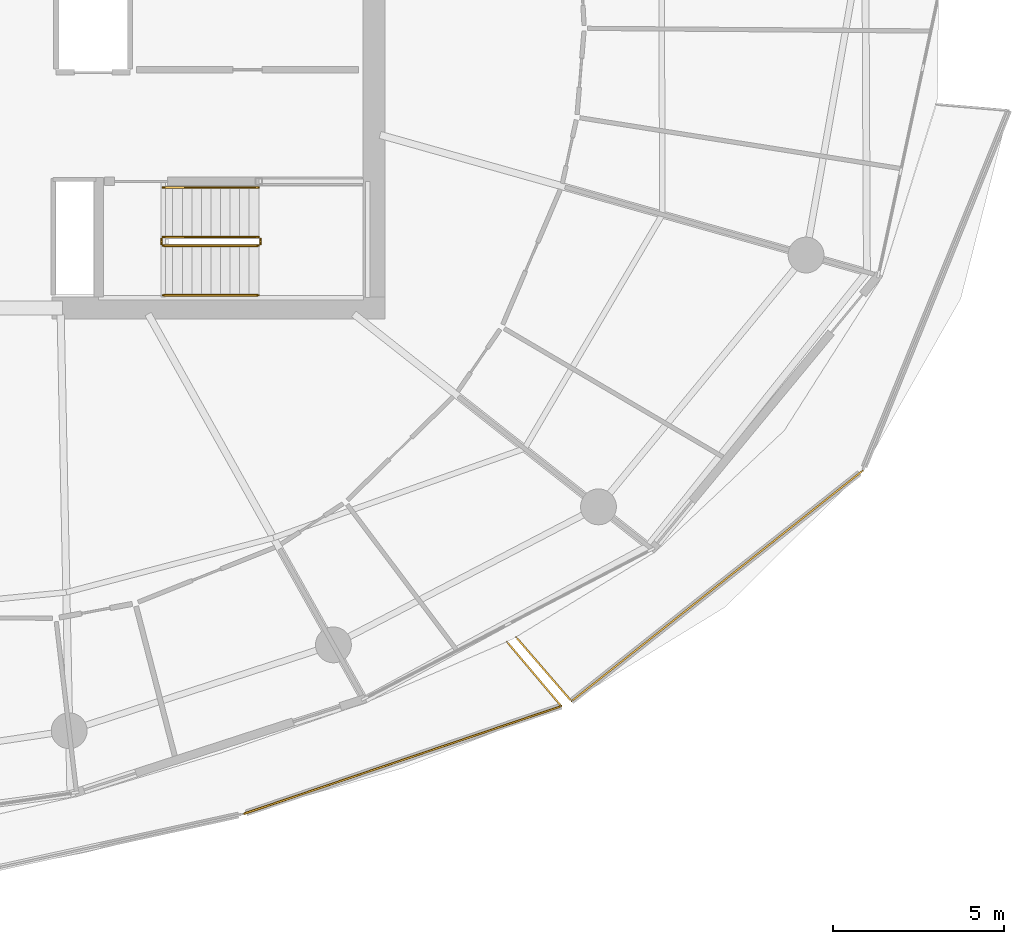
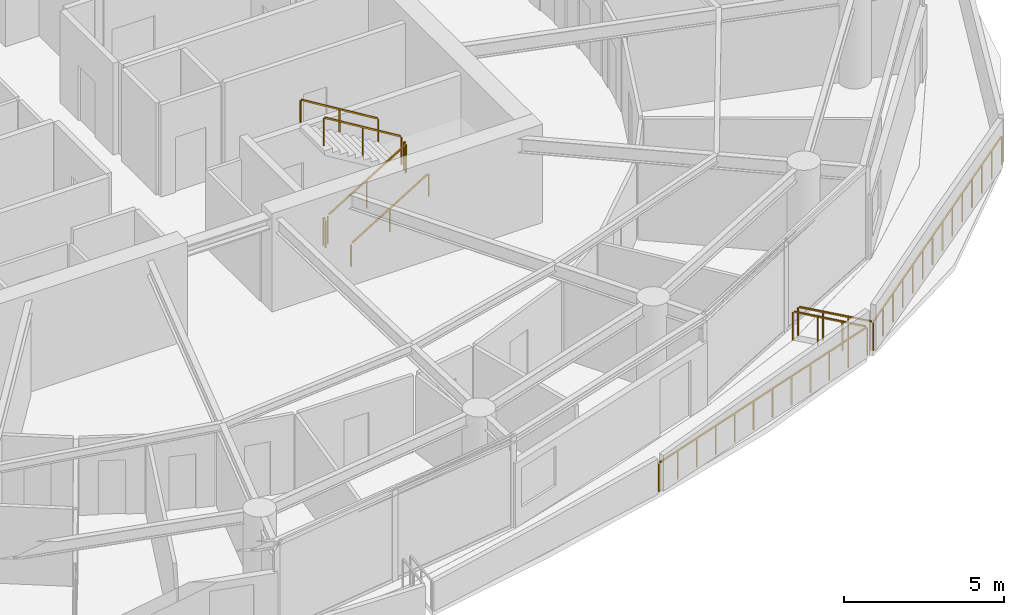
# One storey, part 19 of 21: 10 railings.
"""IFC4 building model written with IfcOpenShell, lengths in metres."""

from ifc_helpers import new_model, si_unit, direction, frame, origin, origin_2d, place, context, subcontext, project, spatial, rectangle, extrude, material, type_object, element, save


model = new_model("IFC4")

# Units and contexts
model_context = context("Model", 3, precision=1e-05, world=origin(), true_north=direction((0.0, 1.0)))
body_context = subcontext(model_context, "Body", "Model", "MODEL_VIEW")
ifc_project = project(units=[si_unit("LENGTHUNIT", "METRE"), si_unit("AREAUNIT", "SQUARE_METRE"), si_unit("VOLUMEUNIT", "CUBIC_METRE"), si_unit("PLANEANGLEUNIT", "RADIAN"), si_unit("MASSUNIT", "GRAM", prefix="KILO")], contexts=[model_context])

# Site, building, storey
site_placement = place(None, origin())
site = spatial("IfcSite", under=ifc_project, at=site_placement, CompositionType="ELEMENT")
building_placement = place(site_placement, origin())
building = spatial("IfcBuilding", under=site, at=building_placement, Name="Kazma Halo Residences", CompositionType="ELEMENT")
storey_placement = place(building_placement, frame((0.0, 0.0, 187.800048828125)))
storey = spatial("IfcBuildingStorey", under=building, at=storey_placement, Name="L47", CompositionType="ELEMENT", Elevation=187.800048828125)

# Railings
ifc_material_1 = material(Name="Aluminium AW-6063 T6 Brushed Cap Rail", Category="aluminium")
railing_type_1 = type_object("IfcRailingType", Name="RLG-BAL-CAP-1120", PredefinedType="BALUSTRADE", material=ifc_material_1)
railing_1_placement = place(storey_placement, frame((55.520263671875, 18.855224609375, 0.0)))
element("IfcRailing", 1, at=railing_1_placement, inside=storey, type_object=railing_type_1, Name="L47 SSE wave balcony guard 3", PredefinedType="BALUSTRADE", context=body_context, shape_type="SweptSolid", body=[
    extrude(rectangle(XDim=0.050048828125, YDim=0.050048828125, at=origin_2d()), frame((0.040283203125, 0.013671875, 1.09521484375), z_axis=(0.947045836606, 0.321098401379, 0.0), x_axis=(-0.321098401379, 0.947045836606, 0.0)), (0.0, 0.0, 1.0), 9.77099609375),
    extrude(rectangle(XDim=0.0400390625, YDim=0.0400390625, at=origin_2d()), origin(), (0.0, 0.0, 1.0), 1.05810546875),
    extrude(rectangle(XDim=0.0400390625, YDim=0.0400390625, at=origin_2d()), frame((0.8486328125, 0.28759765625, 0.0)), (0.0, 0.0, 1.0), 1.05810546875),
    extrude(rectangle(XDim=0.0400390625, YDim=0.0400390625, at=origin_2d()), frame((1.697021484375, 0.575439453125, 0.0)), (0.0, 0.0, 1.0), 1.05810546875),
    extrude(rectangle(XDim=0.0400390625, YDim=0.0400390625, at=origin_2d()), frame((2.545654296875, 0.863037109375, 0.0)), (0.0, 0.0, 1.0), 1.05810546875),
    extrude(rectangle(XDim=0.0400390625, YDim=0.0400390625, at=origin_2d()), frame((3.394287109375, 1.15087890625, 0.0)), (0.0, 0.0, 1.0), 1.05810546875),
    extrude(rectangle(XDim=0.0400390625, YDim=0.0400390625, at=origin_2d()), frame((4.242919921875, 1.4384765625, 0.0)), (0.0, 0.0, 1.0), 1.05810546875),
    extrude(rectangle(XDim=0.0400390625, YDim=0.0400390625, at=origin_2d()), frame((5.09130859375, 1.726318359375, 0.0)), (0.0, 0.0, 1.0), 1.05810546875),
    extrude(rectangle(XDim=0.0400390625, YDim=0.0400390625, at=origin_2d()), frame((5.93994140625, 2.013916015625, 0.0)), (0.0, 0.0, 1.0), 1.05810546875),
    extrude(rectangle(XDim=0.0400390625, YDim=0.0400390625, at=origin_2d()), frame((6.78857421875, 2.3017578125, 0.0)), (0.0, 0.0, 1.0), 1.05810546875),
    extrude(rectangle(XDim=0.0400390625, YDim=0.0400390625, at=origin_2d()), frame((7.63720703125, 2.58935546875, 0.0)), (0.0, 0.0, 1.0), 1.05810546875),
    extrude(rectangle(XDim=0.0400390625, YDim=0.0400390625, at=origin_2d()), frame((8.485595703125, 2.877197265625, 0.0)), (0.0, 0.0, 1.0), 1.05810546875),
    extrude(rectangle(XDim=0.0400390625, YDim=0.0400390625, at=origin_2d()), frame((9.334228515625, 3.164794921875, 0.0)), (0.0, 0.0, 1.0), 1.05810546875),
])
railing_2_placement = place(storey_placement, frame((64.8544921875, 22.02001953125, 0.0)))
element("IfcRailing", 2, at=railing_2_placement, inside=storey, type_object=railing_type_1, Name="L47 SSE wave balcony guard 4", PredefinedType="BALUSTRADE", context=body_context, shape_type="SweptSolid", body=[
    extrude(rectangle(XDim=0.050048828125, YDim=0.050048828125, at=origin_2d()), frame((-0.02734375, 0.032470703125, 1.09521484375), z_axis=(-0.644760664692, 0.764384514015, 0.0), x_axis=(-0.764384514015, -0.644760664692, 0.0)), (0.0, 0.0, 1.0), 2.38037109375),
    extrude(rectangle(XDim=0.0400390625, YDim=0.0400390625, at=origin_2d()), origin(), (0.0, 0.0, 1.0), 1.05810546875),
    extrude(rectangle(XDim=0.0400390625, YDim=0.0400390625, at=origin_2d()), frame((-0.52978515625, 0.628173828125, 0.0)), (0.0, 0.0, 1.0), 1.05810546875),
    extrude(rectangle(XDim=0.0400390625, YDim=0.0400390625, at=origin_2d()), frame((-1.059814453125, 1.25634765625, 0.0)), (0.0, 0.0, 1.0), 1.05810546875),
    extrude(rectangle(XDim=0.0400390625, YDim=0.0400390625, at=origin_2d()), frame((-1.589599609375, 1.884521484375, 0.0)), (0.0, 0.0, 1.0), 1.05810546875),
])
railing_3_placement = place(storey_placement, frame((63.528564453125, 24.041748046875, 0.0)))
element("IfcRailing", 3, at=railing_3_placement, inside=storey, type_object=railing_type_1, Name="L47 SE wave balcony guard 1", PredefinedType="BALUSTRADE", context=body_context, shape_type="SweptSolid", body=[
    extrude(rectangle(XDim=0.050048828125, YDim=0.050048828125, at=origin_2d()), frame((0.02783203125, -0.0322265625, 1.09521484375), z_axis=(0.654088095175, -0.756418378776, 0.0), x_axis=(0.756418378776, 0.654088095175, 0.0)), (0.0, 0.0, 1.0), 2.3984375),
    extrude(rectangle(XDim=0.0400390625, YDim=0.0400390625, at=origin_2d()), origin(), (0.0, 0.0, 1.0), 1.05810546875),
    extrude(rectangle(XDim=0.0400390625, YDim=0.0400390625, at=origin_2d()), frame((0.54150390625, -0.626220703125, 0.0)), (0.0, 0.0, 1.0), 1.05810546875),
    extrude(rectangle(XDim=0.0400390625, YDim=0.0400390625, at=origin_2d()), frame((1.0830078125, -1.25244140625, 0.0)), (0.0, 0.0, 1.0), 1.05810546875),
    extrude(rectangle(XDim=0.0400390625, YDim=0.0400390625, at=origin_2d()), frame((1.62451171875, -1.878662109375, 0.0)), (0.0, 0.0, 1.0), 1.05810546875),
])
railing_4_placement = place(storey_placement, frame((65.153076171875, 22.1630859375, 0.0)))
element("IfcRailing", 4, at=railing_4_placement, inside=storey, type_object=railing_type_1, Name="L47 SE wave balcony guard 2", PredefinedType="BALUSTRADE", context=body_context, shape_type="SweptSolid", body=[
    extrude(rectangle(XDim=0.050048828125, YDim=0.050048828125, at=origin_2d()), frame((0.033447265625, 0.0263671875, 1.09521484375), z_axis=(0.783927468115, 0.620852417838, 0.0), x_axis=(-0.620852417838, 0.783927468115, 0.0)), (0.0, 0.0, 1.0), 10.79150390625),
    extrude(rectangle(XDim=0.0400390625, YDim=0.0400390625, at=origin_2d()), origin(), (0.0, 0.0, 1.0), 1.05810546875),
    extrude(rectangle(XDim=0.0400390625, YDim=0.0400390625, at=origin_2d()), frame((0.65576171875, 0.51953125, 0.0)), (0.0, 0.0, 1.0), 1.05810546875),
    extrude(rectangle(XDim=0.0400390625, YDim=0.0400390625, at=origin_2d()), frame((1.311767578125, 1.038818359375, 0.0)), (0.0, 0.0, 1.0), 1.05810546875),
    extrude(rectangle(XDim=0.0400390625, YDim=0.0400390625, at=origin_2d()), frame((1.967529296875, 1.558349609375, 0.0)), (0.0, 0.0, 1.0), 1.05810546875),
    extrude(rectangle(XDim=0.0400390625, YDim=0.0400390625, at=origin_2d()), frame((2.62353515625, 2.07763671875, 0.0)), (0.0, 0.0, 1.0), 1.05810546875),
    extrude(rectangle(XDim=0.0400390625, YDim=0.0400390625, at=origin_2d()), frame((3.279296875, 2.59716796875, 0.0)), (0.0, 0.0, 1.0), 1.05810546875),
    extrude(rectangle(XDim=0.0400390625, YDim=0.0400390625, at=origin_2d()), frame((3.935302734375, 3.11669921875, 0.0)), (0.0, 0.0, 1.0), 1.05810546875),
    extrude(rectangle(XDim=0.0400390625, YDim=0.0400390625, at=origin_2d()), frame((4.591064453125, 3.635986328125, 0.0)), (0.0, 0.0, 1.0), 1.05810546875),
    extrude(rectangle(XDim=0.0400390625, YDim=0.0400390625, at=origin_2d()), frame((5.2470703125, 4.155517578125, 0.0)), (0.0, 0.0, 1.0), 1.05810546875),
    extrude(rectangle(XDim=0.0400390625, YDim=0.0400390625, at=origin_2d()), frame((5.90283203125, 4.675048828125, 0.0)), (0.0, 0.0, 1.0), 1.05810546875),
    extrude(rectangle(XDim=0.0400390625, YDim=0.0400390625, at=origin_2d()), frame((6.558837890625, 5.1943359375, 0.0)), (0.0, 0.0, 1.0), 1.05810546875),
    extrude(rectangle(XDim=0.0400390625, YDim=0.0400390625, at=origin_2d()), frame((7.214599609375, 5.7138671875, 0.0)), (0.0, 0.0, 1.0), 1.05810546875),
    extrude(rectangle(XDim=0.0400390625, YDim=0.0400390625, at=origin_2d()), frame((7.87060546875, 6.233154296875, 0.0)), (0.0, 0.0, 1.0), 1.05810546875),
    extrude(rectangle(XDim=0.0400390625, YDim=0.0400390625, at=origin_2d()), frame((8.5263671875, 6.752685546875, 0.0)), (0.0, 0.0, 1.0), 1.05810546875),
])
ifc_material_2 = material(Name="Painted Steel S355", Category="steel")
railing_type_2 = type_object("IfcRailingType", Name="RLG-STAIR-GRD-1100", PredefinedType="GUARDRAIL", material=ifc_material_2)
railing_5_placement = place(storey_placement, frame((53.199951171875, 35.5, 0.17041015625)))
element("IfcRailing", 5, at=railing_5_placement, inside=storey, type_object=railing_type_2, Name="L47 ST-03 stair guard 1", PredefinedType="GUARDRAIL", context=body_context, shape_type="SweptSolid", body=[
    extrude(rectangle(XDim=0.050048828125, YDim=0.050048828125, at=origin_2d()), frame((0.036376953125, 0.0, 1.09716796875), z_axis=(0.854169791009, 0.0, 0.51999420009), x_axis=(0.0, 1.0, 0.0)), (0.0, 0.0, 1.0), 3.193115234375),
    extrude(rectangle(XDim=0.0400390625, YDim=0.0400390625, at=origin_2d()), origin(), (0.0, 0.0, 1.0), 1.0380859375),
    extrude(rectangle(XDim=0.0400390625, YDim=0.0400390625, at=origin_2d()), frame((1.39990234375, 0.0, 0.852294921875)), (0.0, 0.0, 1.0), 1.0380859375),
    extrude(rectangle(XDim=0.0400390625, YDim=0.0400390625, at=origin_2d()), frame((2.800048828125, 0.0, 1.70458984375)), (0.0, 0.0, 1.0), 1.0380859375),
])
railing_6_placement = place(storey_placement, frame((56.050048828125, 35.550048828125, 1.875)))
element("IfcRailing", 6, at=railing_6_placement, inside=storey, type_object=railing_type_2, Name="L47 ST-03 stair guard 2", PredefinedType="GUARDRAIL", context=body_context, shape_type="SweptSolid", body=[
    extrude(rectangle(XDim=0.050048828125, YDim=0.050048828125, at=origin_2d()), frame((0.0, 0.04248046875, 1.0751953125), z_axis=(0.0, 1.0, 0.0), x_axis=(-1.0, 0.0, 0.0)), (0.0, 0.0, 1.0), 0.06494140625),
    extrude(rectangle(XDim=0.0400390625, YDim=0.0400390625, at=origin_2d()), origin(), (0.0, 0.0, 1.0), 1.0380859375),
    extrude(rectangle(XDim=0.0400390625, YDim=0.0400390625, at=origin_2d()), frame((0.0, 0.14990234375, 0.0)), (0.0, 0.0, 1.0), 1.0380859375),
])
railing_7_placement = place(storey_placement, frame((56.0, 35.75, 2.04541015625)))
element("IfcRailing", 7, at=railing_7_placement, inside=storey, type_object=railing_type_2, Name="L47 ST-03 stair guard 3", PredefinedType="GUARDRAIL", context=body_context, shape_type="SweptSolid", body=[
    extrude(rectangle(XDim=0.050048828125, YDim=0.050048828125, at=origin_2d()), frame((-0.036376953125, 0.0, 1.09716796875), z_axis=(-0.854169791009, 0.0, 0.51999420009), x_axis=(0.0, -1.0, 0.0)), (0.0, 0.0, 1.0), 3.193115234375),
    extrude(rectangle(XDim=0.0400390625, YDim=0.0400390625, at=origin_2d()), origin(), (0.0, 0.0, 1.0), 1.0380859375),
    extrude(rectangle(XDim=0.0400390625, YDim=0.0400390625, at=origin_2d()), frame((-1.39990234375, 0.0, 0.852294921875)), (0.0, 0.0, 1.0), 1.0380859375),
    extrude(rectangle(XDim=0.0400390625, YDim=0.0400390625, at=origin_2d()), frame((-2.800048828125, 0.0, 1.70458984375)), (0.0, 0.0, 1.0), 1.0380859375),
])
railing_8_placement = place(storey_placement, frame((53.14990234375, 35.550048828125, 0.0)))
element("IfcRailing", 8, at=railing_8_placement, inside=storey, type_object=railing_type_2, Name="L47 ST-03 stair guard 4", PredefinedType="GUARDRAIL", context=body_context, shape_type="SweptSolid", body=[
    extrude(rectangle(XDim=0.050048828125, YDim=0.050048828125, at=origin_2d()), frame((0.0, 0.04248046875, 1.0751953125), z_axis=(0.0, 1.0, 0.0), x_axis=(-1.0, 0.0, 0.0)), (0.0, 0.0, 1.0), 0.06494140625),
    extrude(rectangle(XDim=0.0400390625, YDim=0.0400390625, at=origin_2d()), origin(), (0.0, 0.0, 1.0), 1.0380859375),
    extrude(rectangle(XDim=0.0400390625, YDim=0.0400390625, at=origin_2d()), frame((0.0, 0.14990234375, 0.0)), (0.0, 0.0, 1.0), 1.0380859375),
])
ifc_material_3 = material(Name="Brushed Stainless Steel", Category="steel")
railing_type_3 = type_object("IfcRailingType", Name="RLG-STAIR-HND-900", PredefinedType="HANDRAIL", material=ifc_material_3)
railing_9_placement = place(storey_placement, frame((53.199951171875, 34.050048828125, 0.17041015625)))
element("IfcRailing", 9, at=railing_9_placement, inside=storey, type_object=railing_type_3, Name="L47 ST-03 stair handrail 1", PredefinedType="HANDRAIL", context=body_context, shape_type="SweptSolid", body=[
    extrude(rectangle(XDim=0.050048828125, YDim=0.050048828125, at=origin_2d()), frame((0.036376953125, 0.0, 0.89697265625), z_axis=(0.854169791009, 0.0, 0.51999420009), x_axis=(0.0, 1.0, 0.0)), (0.0, 0.0, 1.0), 3.193115234375),
    extrude(rectangle(XDim=0.0400390625, YDim=0.0400390625, at=origin_2d()), origin(), (0.0, 0.0, 1.0), 0.837890625),
    extrude(rectangle(XDim=0.0400390625, YDim=0.0400390625, at=origin_2d()), frame((1.39990234375, 0.0, 0.852294921875)), (0.0, 0.0, 1.0), 0.837890625),
    extrude(rectangle(XDim=0.0400390625, YDim=0.0400390625, at=origin_2d()), frame((2.800048828125, 0.0, 1.70458984375)), (0.0, 0.0, 1.0), 0.837890625),
])
railing_10_placement = place(storey_placement, frame((56.0, 37.199951171875, 2.04541015625)))
element("IfcRailing", 10, at=railing_10_placement, inside=storey, type_object=railing_type_3, Name="L47 ST-03 stair handrail 2", PredefinedType="HANDRAIL", context=body_context, shape_type="SweptSolid", body=[
    extrude(rectangle(XDim=0.050048828125, YDim=0.050048828125, at=origin_2d()), frame((-0.036376953125, 0.0, 0.89697265625), z_axis=(-0.854169791009, 0.0, 0.51999420009), x_axis=(0.0, -1.0, 0.0)), (0.0, 0.0, 1.0), 3.193115234375),
    extrude(rectangle(XDim=0.0400390625, YDim=0.0400390625, at=origin_2d()), origin(), (0.0, 0.0, 1.0), 0.837890625),
    extrude(rectangle(XDim=0.0400390625, YDim=0.0400390625, at=origin_2d()), frame((-1.39990234375, 0.0, 0.852294921875)), (0.0, 0.0, 1.0), 0.837890625),
    extrude(rectangle(XDim=0.0400390625, YDim=0.0400390625, at=origin_2d()), frame((-2.800048828125, 0.0, 1.70458984375)), (0.0, 0.0, 1.0), 0.837890625),
])

save(model, "model.ifc")
